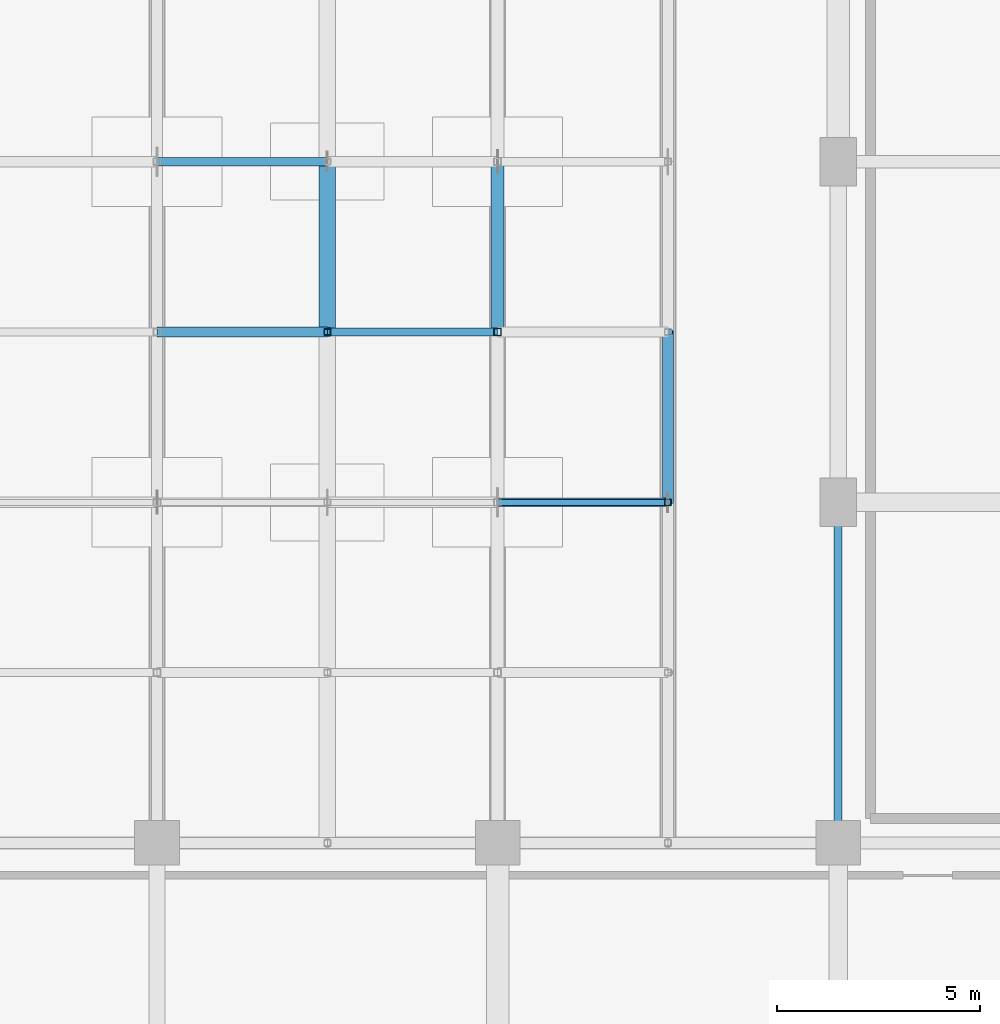
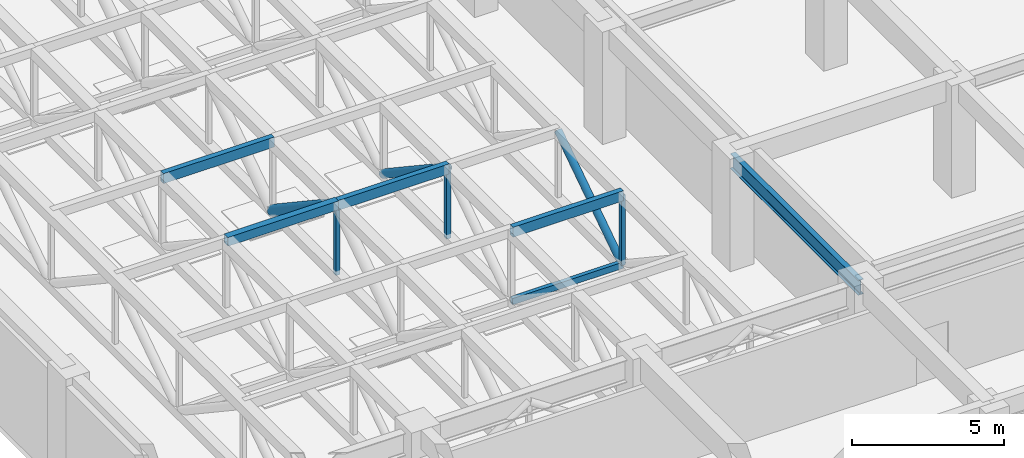
# One storey, part 16 of 47: 11 members, 1 beam.
"""IFC4 building model written with IfcOpenShell, lengths in metres."""

from ifc_helpers import new_model, si_unit, direction, frame, origin, origin_2d, place, context, subcontext, project, spatial, hollow_rectangle, hollow_circle, i_section, extrude, material, material_profile, profile_set, type_object, element, save


model = new_model("IFC4")

# Units and contexts
model_context = context("Model", 3, precision=1e-05, world=origin(), true_north=direction((0.0, 1.0)))
body_context = subcontext(model_context, "Body", "Model", "MODEL_VIEW")
ifc_project = project(units=[si_unit("LENGTHUNIT", "METRE"), si_unit("AREAUNIT", "SQUARE_METRE"), si_unit("VOLUMEUNIT", "CUBIC_METRE"), si_unit("PLANEANGLEUNIT", "RADIAN"), si_unit("MASSUNIT", "GRAM", prefix="KILO")], contexts=[model_context])

# Site, building, storey
site_placement = place(None, origin())
site = spatial("IfcSite", under=ifc_project, at=site_placement, CompositionType="ELEMENT")
building_placement = place(site_placement, origin())
building = spatial("IfcBuilding", under=site, at=building_placement, Name="Xuanlan Plaza Opera House", CompositionType="ELEMENT")
storey_placement = place(building_placement, frame((0.0, 0.0, 23.39990234375)))
storey = spatial("IfcBuildingStorey", under=building, at=storey_placement, Name="L05", CompositionType="ELEMENT", Elevation=23.39990234375)

# Beam
ifc_material_1 = material(Name="Steel Q355B", Category="steel")
ifc_material_profile_1 = material_profile(ifc_material_1, i_section(OverallWidth=0.199951171875, OverallDepth=0.60009765625, WebThickness=0.010986328125, FlangeThickness=0.01708984375, FilletRadius=0.02197265625, at=origin_2d()), Name="HN 600x200x11x17")
ifc_profile_set_1 = profile_set([ifc_material_profile_1], Name="Steel Q355B")
beam_type = type_object("IfcBeamType", Name="STR-BM-SB-04", PredefinedType="BEAM", material=ifc_profile_set_1)
beam_placement = place(storey_placement, frame((92.39990234375, 42.0, 3.955078125), z_axis=(0.0, 1.0, 0.0), x_axis=(-1.0, 0.0, 0.0)))
element("IfcBeam", 1, at=beam_placement, inside=storey, type_object=beam_type, Name="Grid Beam Y L05 12/F-G", PredefinedType="BEAM", context=body_context, shape_type="SweptSolid", body=[
    extrude(i_section(OverallWidth=0.199951171875, OverallDepth=0.60009765625, WebThickness=0.010986328125, FlangeThickness=0.01708984375, FilletRadius=0.02197265625, at=origin_2d()), origin(), (0.0, 0.0, 1.0), 8.39990234375),
])

# Members
ifc_material_2 = material(Name="Steel Q390B", Category="steel")
ifc_material_profile_2 = material_profile(ifc_material_2, hollow_circle(Radius=0.203125, WallThickness=0.01611328125, at=origin_2d()), Name="CHS 406.4x16")
ifc_profile_set_2 = profile_set([ifc_material_profile_2], Name="Steel Q390B")
member_type_1 = type_object("IfcMemberType", Name="STR-MEM-BR-01", PredefinedType="BRACE", material=ifc_profile_set_2)
member_1_placement = place(storey_placement, frame((79.800048828125, 54.60009765625, 4.05908203125), z_axis=(0.0, 0.832042853317, -0.554711357594), x_axis=(-1.0, 0.0, 0.0)))
element("IfcMember", 2, at=member_1_placement, inside=storey, type_object=member_type_1, Name="Auditorium Roof Truss AUD-03 Web Diagonal 4", PredefinedType="BRACE", context=body_context, shape_type="SweptSolid", body=[
    extrude(hollow_circle(Radius=0.203125, WallThickness=0.01611328125, at=origin_2d()), origin(), (0.0, 0.0, 1.0), 5.0478515625),
])
ifc_material_profile_3 = material_profile(ifc_material_1, hollow_circle(Radius=0.161865234375, WallThickness=0.013916015625, at=origin_2d()), Name="CHS 323.9x14")
ifc_profile_set_3 = profile_set([ifc_material_profile_3], Name="Steel Q355B")
member_type_2 = type_object("IfcMemberType", Name="STR-MEM-BR-03", PredefinedType="BRACE", material=ifc_profile_set_3)
member_2_placement = place(storey_placement, frame((84.0, 54.60009765625, 4.05908203125), z_axis=(0.0, 0.832042853317, -0.554711357594), x_axis=(-1.0, 0.0, 0.0)))
element("IfcMember", 3, at=member_2_placement, inside=storey, type_object=member_type_2, Name="Auditorium Roof Truss AUD-04 Web Diagonal 4", PredefinedType="BRACE", context=body_context, shape_type="SweptSolid", body=[
    extrude(hollow_circle(Radius=0.161865234375, WallThickness=0.013916015625, at=origin_2d()), origin(), (0.0, 0.0, 1.0), 5.0478515625),
])
ifc_material_profile_4 = material_profile(ifc_material_1, hollow_circle(Radius=0.136474609375, WallThickness=0.011962890625, at=origin_2d()), Name="CHS 273x12")
ifc_profile_set_4 = profile_set([ifc_material_profile_4], Name="Steel Q355B")
member_type_3 = type_object("IfcMemberType", Name="STR-MEM-BR-04", PredefinedType="BRACE", material=ifc_profile_set_4)
member_3_placement = place(storey_placement, frame((88.199951171875, 50.39990234375, 1.259033203125), z_axis=(0.0, 0.832057734909, 0.554689035206), x_axis=(-1.0, 0.0, 0.0)))
element("IfcMember", 4, at=member_3_placement, inside=storey, type_object=member_type_3, Name="Auditorium Roof Truss AUD-05 Web Diagonal 3", PredefinedType="BRACE", context=body_context, shape_type="SweptSolid", body=[
    extrude(hollow_circle(Radius=0.136474609375, WallThickness=0.011962890625, at=origin_2d()), origin(), (0.0, 0.0, 1.0), 5.0478515625),
])
ifc_material_profile_5 = material_profile(ifc_material_1, hollow_rectangle(XDim=0.14990234375, YDim=0.25, WallThickness=0.010009765625, at=origin_2d()), Name="RHS 250x150x10")
ifc_profile_set_5 = profile_set([ifc_material_profile_5], Name="Steel Q355B")
member_type_4 = type_object("IfcMemberType", Name="STR-MEM-CL-M2", PredefinedType="COLLAR", material=ifc_profile_set_5)
member_4_placement = place(storey_placement, frame((84.0, 50.39990234375, 1.259033203125), z_axis=(1.0, 0.0, 0.0), x_axis=(0.0, 1.0, 0.0)))
element("IfcMember", 5, at=member_4_placement, inside=storey, type_object=member_type_4, Name="Auditorium Truss Bottom Tie 4-3", PredefinedType="COLLAR", context=body_context, shape_type="SweptSolid", body=[
    extrude(hollow_rectangle(XDim=0.14990234375, YDim=0.25, WallThickness=0.010009765625, at=origin_2d()), origin(), (0.0, 0.0, 1.0), 4.199951171875),
])
ifc_material_profile_6 = material_profile(ifc_material_1, hollow_rectangle(XDim=0.25, YDim=0.35009765625, WallThickness=0.011962890625, at=origin_2d()), Name="RHS 350x250x12")
ifc_profile_set_6 = profile_set([ifc_material_profile_6], Name="Steel Q355B")
member_type_5 = type_object("IfcMemberType", Name="STR-MEM-PR-03", PredefinedType="PURLIN", material=ifc_profile_set_6)
member_5_placement = place(storey_placement, frame((75.60009765625, 54.60009765625, 4.083984375), z_axis=(1.0, 0.0, 0.0), x_axis=(0.0, 1.0, 0.0)))
element("IfcMember", 6, at=member_5_placement, inside=storey, type_object=member_type_5, Name="Auditorium Shell Roof Purlin 2-4", PredefinedType="PURLIN", context=body_context, shape_type="SweptSolid", body=[
    extrude(hollow_rectangle(XDim=0.25, YDim=0.35009765625, WallThickness=0.011962890625, at=origin_2d()), origin(), (0.0, 0.0, 1.0), 4.199951171875),
])
ifc_material_profile_7 = material_profile(ifc_material_1, hollow_rectangle(XDim=0.199951171875, YDim=0.39990234375, WallThickness=0.013916015625, at=origin_2d()), Name="RHS 400x200x14")
ifc_profile_set_7 = profile_set([ifc_material_profile_7], Name="Steel Q355B")
member_type_6 = type_object("IfcMemberType", Name="STR-MEM-PR-04", PredefinedType="PURLIN", material=ifc_profile_set_7)
for number, where, z_axis, x_axis, name in (
    (7, (75.60009765625, 58.800048828125, 4.05908203125), (1.0, 0.0, 0.0), (0.0, 1.0, 0.0), "Auditorium Shell Roof Purlin 2-5"),
    (8, (79.800048828125, 54.60009765625, 4.05908203125), (1.0, 0.0, 0.0), (0.0, 1.0, 0.0), "Auditorium Shell Roof Purlin 3-4"),
    (9, (84.0, 50.39990234375, 4.05908203125), (1.0, 0.0, 0.0), (0.0, 1.0, 0.0), "Auditorium Shell Roof Purlin 4-3"),
):
    element("IfcMember", number, at=place(storey_placement, frame(where, z_axis=z_axis, x_axis=x_axis)), inside=storey, type_object=member_type_6, Name=name, PredefinedType="PURLIN", context=body_context, shape_type="SweptSolid", body=[
        extrude(hollow_rectangle(XDim=0.199951171875, YDim=0.39990234375, WallThickness=0.013916015625, at=origin_2d()), origin(), (0.0, 0.0, 1.0), 4.199951171875),
    ])
ifc_material_profile_8 = material_profile(ifc_material_1, hollow_rectangle(XDim=0.179931640625, YDim=0.179931640625, WallThickness=0.010009765625, at=origin_2d()), Name="SHS 180x180x10")
ifc_profile_set_8 = profile_set([ifc_material_profile_8], Name="Steel Q355B")
member_type_7 = type_object("IfcMemberType", Name="STR-MEM-ST-M2", PredefinedType="STRUT", material=ifc_profile_set_8)
member_6_placement = place(storey_placement, frame((84.0, 54.60009765625, 1.259033203125), z_axis=(0.0, 0.0, 1.0), x_axis=(1.0, 0.0, 0.0)))
element("IfcMember", 10, at=member_6_placement, inside=storey, type_object=member_type_7, Name="Auditorium Roof Truss AUD-04 Vertical Strut 3", PredefinedType="STRUT", context=body_context, shape_type="SweptSolid", body=[
    extrude(hollow_rectangle(XDim=0.179931640625, YDim=0.179931640625, WallThickness=0.010009765625, at=origin_2d()), origin(), (0.0, 0.0, 1.0), 2.800048828125),
])
ifc_material_profile_9 = material_profile(ifc_material_1, hollow_rectangle(XDim=0.159912109375, YDim=0.159912109375, WallThickness=0.008056640625, at=origin_2d()), Name="SHS 160x160x8")
ifc_profile_set_9 = profile_set([ifc_material_profile_9], Name="Steel Q355B")
member_type_8 = type_object("IfcMemberType", Name="STR-MEM-ST-M3", PredefinedType="STRUT", material=ifc_profile_set_9)
for number, where, z_axis, x_axis, name in (
    (11, (79.800048828125, 54.60009765625, 1.259033203125), (0.0, 0.0, 1.0), (1.0, 0.0, 0.0), "Auditorium Roof Truss AUD-03 Vertical Strut 3"),
    (12, (88.199951171875, 50.39990234375, 1.259033203125), (0.0, 0.0, 1.0), (1.0, 0.0, 0.0), "Auditorium Roof Truss AUD-05 Vertical Strut 2"),
):
    element("IfcMember", number, at=place(storey_placement, frame(where, z_axis=z_axis, x_axis=x_axis)), inside=storey, type_object=member_type_8, Name=name, PredefinedType="STRUT", context=body_context, shape_type="SweptSolid", body=[
        extrude(hollow_rectangle(XDim=0.159912109375, YDim=0.159912109375, WallThickness=0.008056640625, at=origin_2d()), origin(), (0.0, 0.0, 1.0), 2.800048828125),
    ])

save(model, "model.ifc")
